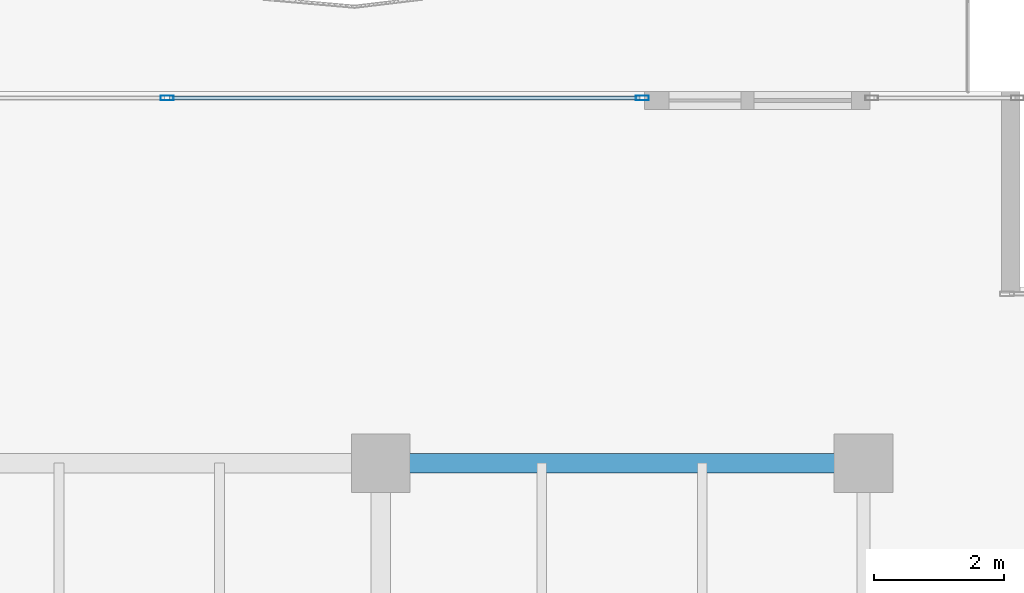
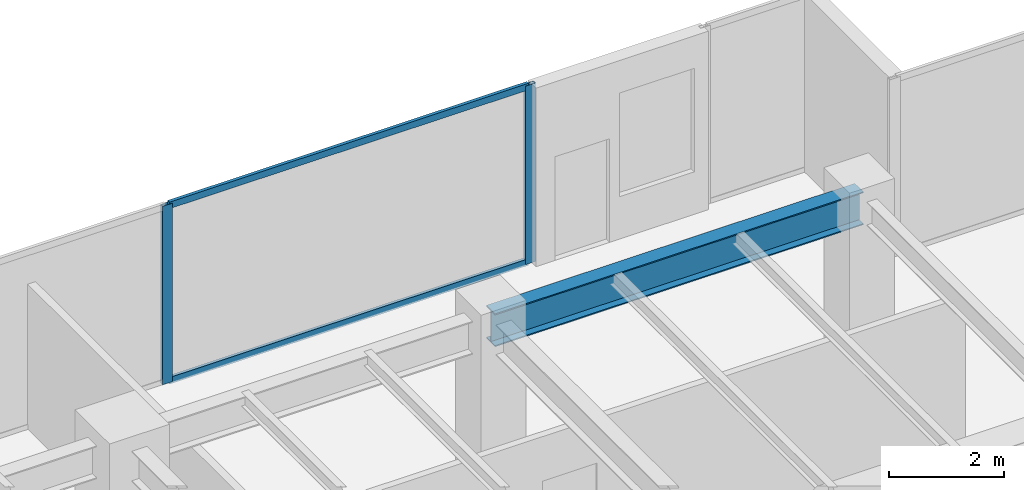
# One storey, part 18 of 30: 4 members, 1 beam, 1 element without a shape of its own.
"""IFC4 building model written with IfcOpenShell, lengths in metres."""

from ifc_helpers import new_model, si_unit, direction, frame, origin, origin_2d, place, context, subcontext, project, spatial, hollow_rectangle, i_section, extrude, source, transform, mapped, material, layer, layer_set, material_profile, profile_set, type_object, type_shapes, element, aggregate, save


model = new_model("IFC4")

# Units and contexts
model_context = context("Model", 3, precision=1e-05, world=origin(), true_north=direction((0.0, 1.0)))
body_context = subcontext(model_context, "Body", "Model", "MODEL_VIEW")
ifc_project = project(units=[si_unit("LENGTHUNIT", "METRE"), si_unit("AREAUNIT", "SQUARE_METRE"), si_unit("VOLUMEUNIT", "CUBIC_METRE"), si_unit("PLANEANGLEUNIT", "RADIAN"), si_unit("MASSUNIT", "GRAM", prefix="KILO")], contexts=[model_context])

# Site, building, storey
site_placement = place(None, origin())
site = spatial("IfcSite", under=ifc_project, at=site_placement, CompositionType="ELEMENT")
building_placement = place(site_placement, origin())
building = spatial("IfcBuilding", under=site, at=building_placement, Name="Haelvirn Gate Laboratories", CompositionType="ELEMENT")
storey_placement = place(building_placement, frame((0.0, 0.0, 146.10009765625)))
storey = spatial("IfcBuildingStorey", under=building, at=storey_placement, Name="L35", CompositionType="ELEMENT", Elevation=146.10009765625)

# Beam
ifc_material_1 = material(Name="Steel SM355", Category="steel")
ifc_material_profile_1 = material_profile(ifc_material_1, i_section(OverallWidth=0.300048828125, OverallDepth=0.699951171875, WebThickness=0.012939453125, FlangeThickness=0.02392578125, at=origin_2d()), Name="H-700x300x13x24")
ifc_profile_set_1 = profile_set([ifc_material_profile_1], Name="Steel SM355")
beam_type = type_object("IfcBeamType", Name="BM-G-700", PredefinedType="BEAM", material=ifc_profile_set_1)
shared_shape_1 = source(origin(), body_context, "Body", "SweptSolid", [
    extrude(i_section(OverallWidth=0.300048828125, OverallDepth=0.699951171875, WebThickness=0.012939453125, FlangeThickness=0.02392578125, at=origin_2d()), origin(), (0.0, 0.0, 1.0), 7.39990234375),
])
type_shapes(beam_type, [shared_shape_1])
beam_placement = place(storey_placement, frame((60.0, 41.60009765625, 3.43994140625), z_axis=(1.0, 0.0, 0.0), x_axis=(0.0, 1.0, 0.0)))
element("IfcBeam", 1, at=beam_placement, inside=storey, type_object=beam_type, Name="L35 Primary Girder Y41.6 (60.0-67.4)", PredefinedType="BEAM", context=body_context, shape_type="MappedRepresentation", body=[
    mapped(shared_shape_1, transform((0.0, 0.0, 0.0), scale=1.0)),
])

# Curtain wall, members
ifc_material_2 = material(Name="Anodised bronze unitised aluminium & triple low-E glass", Category="aluminium")
ifc_layer = layer(ifc_material_2, 0.179931640625, Name="CW-SYS-3")
ifc_layer_set = layer_set([ifc_layer], Name="Anodised bronze unitised aluminium & triple low-E glass")
curtain_wall_type = type_object("IfcCurtainWallType", Name="CW-SYS-3", PredefinedType="NOTDEFINED", material=ifc_layer_set)
curtain_wall_placement = place(storey_placement, origin())
curtain_wall = element("IfcCurtainWall", 2, at=curtain_wall_placement, inside=storey, type_object=curtain_wall_type, Name="L35 Unitised Curtain Wall CW-L35-P0-E10-1", PredefinedType="NOTDEFINED")
ifc_material_3 = material(Name="Extruded aluminium 6063-T6 (anodised bronze)", Category="aluminium")
ifc_material_profile_2 = material_profile(ifc_material_3, hollow_rectangle(XDim=0.074951171875, YDim=0.199951171875, WallThickness=0.0048828125, at=origin_2d()), Name="CWM-200x75x5")
ifc_profile_set_2 = profile_set([ifc_material_profile_2], Name="Extruded aluminium 6063-T6 (anodised bronze)")
member_type_1 = type_object("IfcMemberType", Name="CWM-T200", PredefinedType="MULLION", material=ifc_profile_set_2)
shared_shape_2 = source(origin(), body_context, "Body", "SweptSolid", [
    extrude(hollow_rectangle(XDim=0.074951171875, YDim=0.199951171875, WallThickness=0.0048828125, at=origin_2d()), origin(), (0.0, 0.0, 1.0), 3.789794921875),
])
type_shapes(member_type_1, [shared_shape_2])
member_1_placement = place(storey_placement, frame((56.72509765625, 47.199951171875, 0.0), z_axis=(0.0, 0.0, 1.0), x_axis=(0.0, 1.0, 0.0)))
member_1 = element("IfcMember", 3, at=member_1_placement, type_object=member_type_1, Name="CW3 mullion 2", PredefinedType="MULLION", context=body_context, shape_type="MappedRepresentation", body=[
    mapped(shared_shape_2, transform((0.0, 0.0, 0.0), scale=1.0)),
])
member_2_placement = place(storey_placement, frame((64.012451171875, 47.199951171875, 0.0), z_axis=(0.0, 0.0, 1.0), x_axis=(0.0, 1.0, 0.0)))
member_2 = element("IfcMember", 4, at=member_2_placement, type_object=member_type_1, Name="CW3 mullion 3", PredefinedType="MULLION", context=body_context, shape_type="MappedRepresentation", body=[
    mapped(shared_shape_2, transform((0.0, 0.0, 0.0), scale=1.0)),
])
ifc_material_profile_3 = material_profile(ifc_material_3, hollow_rectangle(XDim=0.06494140625, YDim=0.139892578125, WallThickness=0.00390625, at=origin_2d()), Name="CWT-140x65x4")
ifc_profile_set_3 = profile_set([ifc_material_profile_3], Name="Extruded aluminium 6063-T6 (anodised bronze)")
member_type_2 = type_object("IfcMemberType", Name="CWT-T140", PredefinedType="USERDEFINED", material=ifc_profile_set_3)
shared_shape_3 = source(origin(), body_context, "Body", "SweptSolid", [
    extrude(hollow_rectangle(XDim=0.06494140625, YDim=0.139892578125, WallThickness=0.00390625, at=origin_2d()), origin(), (0.0, 0.0, 1.0), 7.212646484375),
])
type_shapes(member_type_2, [shared_shape_3])
member_3_placement = place(storey_placement, frame((56.762451171875, 47.199951171875, 0.032470703125), z_axis=(1.0, 0.0, 0.0), x_axis=(0.0, 1.0, 0.0)))
member_3 = element("IfcMember", 5, at=member_3_placement, type_object=member_type_2, Name="CW3 transom 2.1", ObjectType="TRANSOM", PredefinedType="USERDEFINED", context=body_context, shape_type="MappedRepresentation", body=[
    mapped(shared_shape_3, transform((0.0, 0.0, 0.0), scale=1.0)),
])
member_4_placement = place(storey_placement, frame((56.762451171875, 47.199951171875, 3.75732421875), z_axis=(1.0, 0.0, 0.0), x_axis=(0.0, 1.0, 0.0)))
member_4 = element("IfcMember", 6, at=member_4_placement, type_object=member_type_2, Name="CW3 transom 2.2", ObjectType="TRANSOM", PredefinedType="USERDEFINED", context=body_context, shape_type="MappedRepresentation", body=[
    mapped(shared_shape_3, transform((0.0, 0.0, 0.0), scale=1.0)),
])
aggregate(curtain_wall, [member_1, member_2, member_3, member_4])

save(model, "model.ifc")
